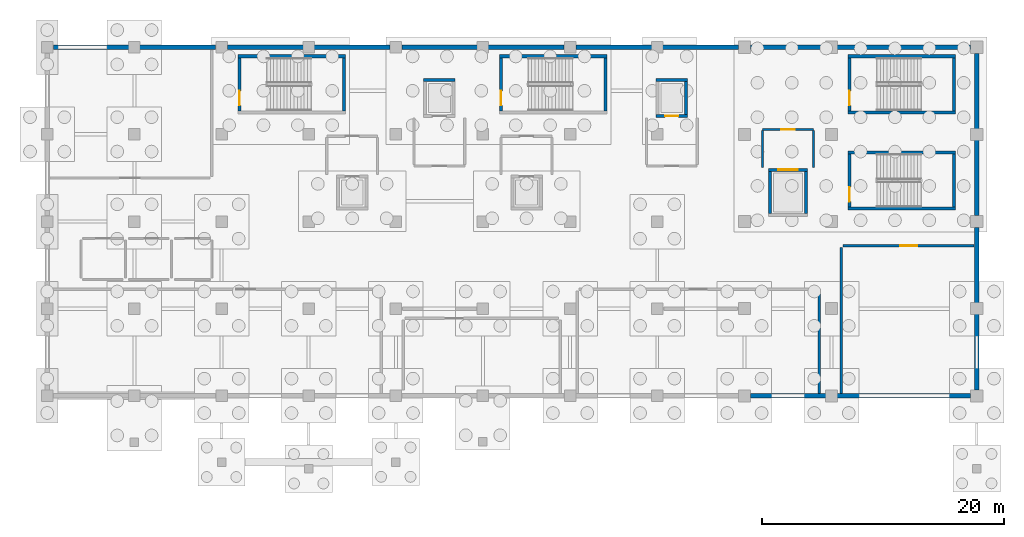
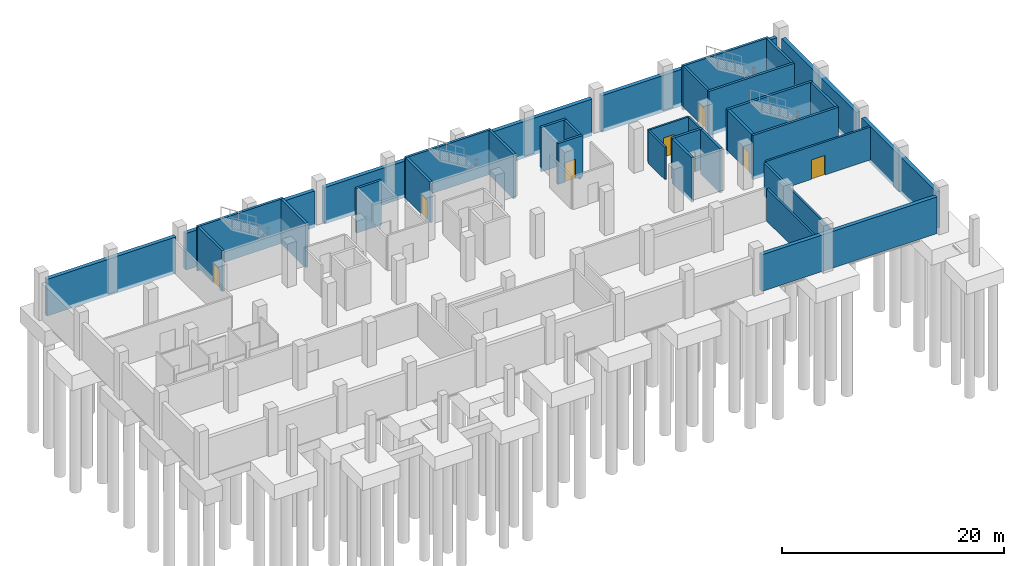
# One storey, part 5 of 10: 35 walls, 8 doors, 8 openings.
"""IFC4 building model written with IfcOpenShell, lengths in metres."""

from ifc_helpers import new_model, si_unit, direction, frame, frame_2d, origin, place, context, subcontext, project, spatial, rectangle, extrude, material, layer, layer_set, type_object, element, fill, save


model = new_model("IFC4")

# Units and contexts
model_context = context("Model", 3, precision=1e-05, world=origin(), true_north=direction((0.0, 1.0)))
body_context = subcontext(model_context, "Body", "Model", "MODEL_VIEW")
ifc_project = project(units=[si_unit("LENGTHUNIT", "METRE"), si_unit("AREAUNIT", "SQUARE_METRE"), si_unit("VOLUMEUNIT", "CUBIC_METRE"), si_unit("PLANEANGLEUNIT", "RADIAN"), si_unit("MASSUNIT", "GRAM", prefix="KILO")], contexts=[model_context])

# Site, building, storey
site_placement = place(None, origin())
site = spatial("IfcSite", under=ifc_project, at=site_placement, CompositionType="ELEMENT")
building_placement = place(site_placement, origin())
building = spatial("IfcBuilding", under=site, at=building_placement, Name="Cendralis Lancet Convention Centre", CompositionType="ELEMENT")
storey_placement = place(building_placement, frame((0.0, 0.0, -4.800048828125)))
storey = spatial("IfcBuildingStorey", under=building, at=storey_placement, Name="B1", CompositionType="ELEMENT", Elevation=-4.800048828125)

# Walls
ifc_material_1 = material(Name="Concrete G40 (C40/50)", Category="concrete")
ifc_layer_1 = layer(ifc_material_1, 0.39990234375, Name="Concrete G40 (C40/50)")
ifc_layer_set_1 = layer_set([ifc_layer_1], Name="Concrete G40 (C40/50)")
wall_type_1 = type_object("IfcWallType", Name="ARC-EW-W400", PredefinedType="STANDARD", material=ifc_layer_set_1)
wall_1_placement = place(storey_placement, frame((132.5, 36.0, -0.39990234375), z_axis=(0.0, 0.0, 1.0), x_axis=(1.0, 0.0, 0.0)))
element("IfcWall", 1, at=wall_1_placement, inside=storey, type_object=wall_type_1, Name="B1 North Retaining Wall 132", PredefinedType="STANDARD", context=body_context, shape_type="SweptSolid", body=[
    extrude(rectangle(XDim=13.39990234375, YDim=0.39990234375, at=frame_2d((6.699951171875, 0.0))), origin(), (0.0, 0.0, 1.0), 4.02001953125),
])
wall_2_placement = place(storey_placement, frame((146.89990234375, 36.0, -0.39990234375), z_axis=(0.0, 0.0, 1.0), x_axis=(1.0, 0.0, 0.0)))
element("IfcWall", 2, at=wall_2_placement, inside=storey, type_object=wall_type_1, Name="B1 North Retaining Wall 146", PredefinedType="STANDARD", context=body_context, shape_type="SweptSolid", body=[
    extrude(rectangle(XDim=13.400146484375, YDim=0.39990234375, at=frame_2d((6.7001953125, 0.0))), origin(), (0.0, 0.0, 1.0), 4.02001953125),
])
wall_3_placement = place(storey_placement, frame((161.300048828125, 36.0, -0.39990234375), z_axis=(0.0, 0.0, 1.0), x_axis=(1.0, 0.0, 0.0)))
element("IfcWall", 3, at=wall_3_placement, inside=storey, type_object=wall_type_1, Name="B1 North Retaining Wall 161", PredefinedType="STANDARD", context=body_context, shape_type="SweptSolid", body=[
    extrude(rectangle(XDim=13.39990234375, YDim=0.39990234375, at=frame_2d((6.699951171875, 0.0))), origin(), (0.0, 0.0, 1.0), 4.02001953125),
])
wall_4_placement = place(storey_placement, frame((175.699951171875, 36.0, -0.39990234375), z_axis=(0.0, 0.0, 1.0), x_axis=(1.0, 0.0, 0.0)))
element("IfcWall", 4, at=wall_4_placement, inside=storey, type_object=wall_type_1, Name="B1 North Retaining Wall 175", PredefinedType="STANDARD", context=body_context, shape_type="SweptSolid", body=[
    extrude(rectangle(XDim=13.400146484375, YDim=0.39990234375, at=frame_2d((6.7001953125, 0.0))), origin(), (0.0, 0.0, 1.0), 4.02001953125),
])
for number, where, z_axis, x_axis, name in (
    (5, (190.10009765625, 36.0, -0.39990234375), (0.0, 0.0, 1.0), (1.0, 0.0, 0.0), "B1 North Retaining Wall 190"),
    (6, (208.300048828125, 7.199951171875, -0.39990234375), (0.0, 0.0, 1.0), (-1.0, 0.0, 0.0), "B1 South Retaining Wall 190"),
):
    element("IfcWall", number, at=place(storey_placement, frame(where, z_axis=z_axis, x_axis=x_axis)), inside=storey, type_object=wall_type_1, Name=name, PredefinedType="STANDARD", context=body_context, shape_type="SweptSolid", body=[
        extrude(rectangle(XDim=18.199951171875, YDim=0.39990234375, at=frame_2d((9.10009765625, 0.0))), origin(), (0.0, 0.0, 1.0), 4.02001953125),
    ])
wall_5_placement = place(storey_placement, frame((208.800048828125, 21.10009765625, -0.39990234375), z_axis=(0.0, 0.0, 1.0), x_axis=(0.0, -1.0, 0.0)))
element("IfcWall", 7, at=wall_5_placement, inside=storey, type_object=wall_type_1, Name="B1 East Retaining Wall 7", PredefinedType="STANDARD", context=body_context, shape_type="SweptSolid", body=[
    extrude(rectangle(XDim=13.400146484375, YDim=0.39990234375, at=frame_2d((6.7001953125, 0.0))), origin(), (0.0, 0.0, 1.0), 4.02001953125),
])
wall_6_placement = place(storey_placement, frame((208.800048828125, 35.5, -0.39990234375), z_axis=(0.0, 0.0, 1.0), x_axis=(0.0, -1.0, 0.0)))
element("IfcWall", 8, at=wall_6_placement, inside=storey, type_object=wall_type_1, Name="B1 East Retaining Wall 22", PredefinedType="STANDARD", context=body_context, shape_type="SweptSolid", body=[
    extrude(rectangle(XDim=13.39990234375, YDim=0.39990234375, at=frame_2d((6.699951171875, 0.0))), origin(), (0.0, 0.0, 1.0), 4.02001953125),
])

# Wall, opening, door
ifc_material_2 = material(Name="Acoustic fire-rated gypsum board on steel studs", Category="steel")
ifc_layer_2 = layer(ifc_material_2, 0.179931640625, Name="Acoustic fire-rated gypsum board on steel studs")
ifc_layer_set_2 = layer_set([ifc_layer_2], Name="Acoustic fire-rated gypsum board on steel studs")
wall_type_2 = type_object("IfcWallType", Name="ARC-IW-P180", PredefinedType="PARTITIONING", material=ifc_layer_set_2)
wall_7_placement = place(storey_placement, frame((191.10009765625, 29.199951171875, 0.0), z_axis=(0.0, 0.0, 1.0), x_axis=(1.0, 0.0, 0.0)))
wall_7 = element("IfcWall", 9, at=wall_7_placement, inside=storey, type_object=wall_type_2, Name="B1 Lift Lobby LG-04 Front Wall", PredefinedType="PARTITIONING", context=body_context, shape_type="SweptSolid", body=[
    extrude(rectangle(XDim=4.199951171875, YDim=0.179931640625, at=frame_2d((2.10009765625, 0.0))), origin(), (0.0, 0.0, 1.0), 3.56494140625),
])
opening_1_placement = place(wall_7_placement, frame((1.550048828125, 0.0, 0.0)))
opening_1 = element("IfcOpeningElement", 10, at=opening_1_placement, cuts=wall_7, Name="Opening FD-11", PredefinedType="OPENING", context=body_context, shape_type="SweptSolid", body=[
    extrude(rectangle(XDim=1.10009765625, YDim=2.14990234375, at=frame_2d((0.550048828125, 1.074951171875))), frame((0.0, 0.099853515625, 0.0), z_axis=(0.0, -1.0, 0.0), x_axis=(1.0, 0.0, 0.0)), (0.0, 0.0, 1.0), 0.199951171875),
])
ifc_material_3 = material(Name="Steel S355", Category="steel")
door_type_1 = type_object("IfcDoorType", Name="ARC-DR-FF11", OperationType="NOTDEFINED", PredefinedType="DOOR", material=ifc_material_3)
door_1_placement = place(opening_1_placement, origin())
door_1 = element("IfcDoor", 11, at=door_1_placement, inside=storey, type_object=door_type_1, Name="B1-D016 B1 Lift Lobby LG-04 Fire Door", OperationType="SINGLE_SWING_LEFT", OverallHeight=2.14990234375, OverallWidth=1.10009765625, PredefinedType="DOOR", context=body_context, shape_type="SweptSolid", body=[
    extrude(rectangle(XDim=1.10009765625, YDim=2.14990234375, at=frame_2d((0.550048828125, 1.074951171875))), frame((0.0, 0.02490234375, 0.0), z_axis=(0.0, -1.0, 0.0), x_axis=(1.0, 0.0, 0.0)), (0.0, 0.0, 1.0), 0.050048828125),
])
fill(opening_1, door_1)

# Walls
for number, where, z_axis, x_axis, name in (
    (12, (191.10009765625, 26.050048828125, 0.0), (0.0, 0.0, 1.0), (0.0, 1.0, 0.0), "B1 Lift Lobby LG-04 West Wall"),
    (13, (195.300048828125, 26.050048828125, 0.0), (0.0, 0.0, 1.0), (0.0, 1.0, 0.0), "B1 Lift Lobby LG-04 East Wall"),
):
    element("IfcWall", number, at=place(storey_placement, frame(where, z_axis=z_axis, x_axis=x_axis)), inside=storey, type_object=wall_type_2, Name=name, PredefinedType="PARTITIONING", context=body_context, shape_type="SweptSolid", body=[
        extrude(rectangle(XDim=3.050048828125, YDim=0.179931640625, at=frame_2d((1.52490234375, 0.0))), origin(), (0.0, 0.0, 1.0), 3.56494140625),
    ])
ifc_layer_3 = layer(ifc_material_2, 0.2099609375, Name="Acoustic fire-rated gypsum board on steel studs")
ifc_layer_set_3 = layer_set([ifc_layer_3], Name="Acoustic fire-rated gypsum board on steel studs")
wall_type_3 = type_object("IfcWallType", Name="ARC-IW-P210", PredefinedType="PARTITIONING", material=ifc_layer_set_3)
wall_8_placement = place(storey_placement, frame((195.800048828125, 7.409912109375, 0.0), z_axis=(0.0, 0.0, 1.0), x_axis=(0.0, 1.0, 0.0)))
element("IfcWall", 14, at=wall_8_placement, inside=storey, type_object=wall_type_3, Name="B1 Interior Partition IW-01 #0331", PredefinedType="PARTITIONING", context=body_context, shape_type="SweptSolid", body=[
    extrude(rectangle(XDim=8.4501953125, YDim=0.2099609375, at=frame_2d((4.22509765625, 0.0))), origin(), (0.0, 0.0, 1.0), 3.56494140625),
])

# Wall, opening, door
wall_9_placement = place(storey_placement, frame((197.739990234375, 19.60009765625, 0.0), z_axis=(0.0, 0.0, 1.0), x_axis=(1.0, 0.0, 0.0)))
wall_9 = element("IfcWall", 15, at=wall_9_placement, inside=storey, type_object=wall_type_3, Name="B1 Interior Partition IW-01 #0334", PredefinedType="PARTITIONING", context=body_context, shape_type="SweptSolid", body=[
    extrude(rectangle(XDim=10.85009765625, YDim=0.2099609375, at=frame_2d((5.425048828125, 0.0))), origin(), (0.0, 0.0, 1.0), 3.614990234375),
])
opening_2_placement = place(wall_9_placement, frame((4.72509765625, 0.0, 0.0)))
opening_2 = element("IfcOpeningElement", 16, at=opening_2_placement, cuts=wall_9, Name="Opening ID-14", PredefinedType="OPENING", context=body_context, shape_type="SweptSolid", body=[
    extrude(rectangle(XDim=1.39990234375, YDim=2.14990234375, at=frame_2d((0.699951171875, 1.074951171875))), frame((0.0, 0.114990234375, 0.0), z_axis=(0.0, -1.0, 0.0), x_axis=(1.0, 0.0, 0.0)), (0.0, 0.0, 1.0), 0.22998046875),
])
ifc_material_4 = material(Name="Acoustic Chilean lenga timber and steel fire leaf", Category="steel")
door_type_2 = type_object("IfcDoorType", Name="ARC-DR-DB14", OperationType="NOTDEFINED", PredefinedType="DOOR", material=ifc_material_4)
door_2_placement = place(opening_2_placement, origin())
door_2 = element("IfcDoor", 17, at=door_2_placement, inside=storey, type_object=door_type_2, Name="B1-D005 B1 Interior Door ID-14 #0112", OperationType="DOUBLE_DOOR_SINGLE_SWING", OverallHeight=2.14990234375, OverallWidth=1.39990234375, PredefinedType="DOOR", context=body_context, shape_type="SweptSolid", body=[
    extrude(rectangle(XDim=1.39990234375, YDim=2.14990234375, at=frame_2d((0.699951171875, 1.074951171875))), frame((0.0, 0.02490234375, 0.0), z_axis=(0.0, -1.0, 0.0), x_axis=(1.0, 0.0, 0.0)), (0.0, 0.0, 1.0), 0.050048828125),
])
fill(opening_2, door_2)

# Wall
wall_10_placement = place(storey_placement, frame((197.60009765625, 7.409912109375, 0.0), z_axis=(0.0, 0.0, 1.0), x_axis=(0.0, 1.0, 0.0)))
element("IfcWall", 18, at=wall_10_placement, inside=storey, type_object=wall_type_3, Name="B1 Interior Partition IW-01 #0335", PredefinedType="PARTITIONING", context=body_context, shape_type="SweptSolid", body=[
    extrude(rectangle(XDim=12.050048828125, YDim=0.2099609375, at=frame_2d((6.02490234375, 0.0))), origin(), (0.0, 0.0, 1.0), 3.56494140625),
])

# Wall, opening, door
ifc_layer_4 = layer(ifc_material_1, 0.25, Name="Concrete G40 (C40/50)")
ifc_layer_set_4 = layer_set([ifc_layer_4], Name="Concrete G40 (C40/50)")
wall_type_4 = type_object("IfcWallType", Name="STR-SW-CW250", PredefinedType="SHEAR", material=ifc_layer_set_4)
wall_11_placement = place(storey_placement, frame((147.875, 30.75, 0.0), z_axis=(0.0, 0.0, 1.0), x_axis=(0.0, 1.0, 0.0)))
wall_11 = element("IfcWall", 19, at=wall_11_placement, inside=storey, type_object=wall_type_4, Name="B1 Stair Core ST-13 West Shear Wall", PredefinedType="SHEAR", context=body_context, shape_type="SweptSolid", body=[
    extrude(rectangle(XDim=4.3798828125, YDim=0.25, at=frame_2d((2.18994140625, 0.0))), origin(), (0.0, 0.0, 1.0), 4.47998046875),
])
opening_3_placement = place(wall_11_placement, frame((0.449951171875, 0.0, 0.0)))
opening_3 = element("IfcOpeningElement", 20, at=opening_3_placement, cuts=wall_11, Name="Opening SD-12", PredefinedType="OPENING", context=body_context, shape_type="SweptSolid", body=[
    extrude(rectangle(XDim=1.199951171875, YDim=2.14990234375, at=frame_2d((0.60009765625, 1.074951171875))), frame((0.0, 0.135009765625, 0.0), z_axis=(0.0, -1.0, 0.0), x_axis=(1.0, 0.0, 0.0)), (0.0, 0.0, 1.0), 0.27001953125),
])
door_type_3 = type_object("IfcDoorType", Name="ARC-DR-ST12", OperationType="NOTDEFINED", PredefinedType="DOOR", material=ifc_material_3)
door_3_placement = place(opening_3_placement, frame((1.199951171875, 0.0, 0.0), z_axis=(0.0, 0.0, 1.0), x_axis=(-1.0, 0.0, 0.0)))
door_3 = element("IfcDoor", 21, at=door_3_placement, inside=storey, type_object=door_type_3, Name="B1-D019 B1 Exit Stair ST-13 Fire Door", OperationType="SINGLE_SWING_RIGHT", OverallHeight=2.14990234375, OverallWidth=1.199951171875, PredefinedType="DOOR", context=body_context, shape_type="SweptSolid", body=[
    extrude(rectangle(XDim=1.199951171875, YDim=2.14990234375, at=frame_2d((0.60009765625, 1.074951171875))), frame((0.0, 0.02490234375, 0.0), z_axis=(0.0, -1.0, 0.0), x_axis=(1.0, 0.0, 0.0)), (0.0, 0.0, 1.0), 0.050048828125),
])
fill(opening_3, door_3)

# Walls
wall_12_placement = place(storey_placement, frame((156.52490234375, 30.75, -0.39990234375), z_axis=(0.0, 0.0, 1.0), x_axis=(0.0, 1.0, 0.0)))
element("IfcWall", 22, at=wall_12_placement, inside=storey, type_object=wall_type_4, Name="B1 Stair Core ST-13 East Shear Wall", PredefinedType="SHEAR", context=body_context, shape_type="SweptSolid", body=[
    extrude(rectangle(XDim=4.3798828125, YDim=0.25, at=frame_2d((2.18994140625, 0.0))), origin(), (0.0, 0.0, 1.0), 4.8798828125),
])
wall_13_placement = place(storey_placement, frame((147.75, 35.2548828125, -0.39990234375), z_axis=(0.0, 0.0, 1.0), x_axis=(1.0, 0.0, 0.0)))
element("IfcWall", 23, at=wall_13_placement, inside=storey, type_object=wall_type_4, Name="B1 Stair Core ST-13 North Shear Wall", PredefinedType="SHEAR", context=body_context, shape_type="SweptSolid", body=[
    extrude(rectangle(XDim=8.89990234375, YDim=0.25, at=frame_2d((4.449951171875, 0.0))), origin(), (0.0, 0.0, 1.0), 4.8798828125),
])

# Wall, opening, door
wall_14_placement = place(storey_placement, frame((169.47509765625, 30.75, 0.0), z_axis=(0.0, 0.0, 1.0), x_axis=(0.0, 1.0, 0.0)))
wall_14 = element("IfcWall", 24, at=wall_14_placement, inside=storey, type_object=wall_type_4, Name="B1 Stair Core ST-14 West Shear Wall", PredefinedType="SHEAR", context=body_context, shape_type="SweptSolid", body=[
    extrude(rectangle(XDim=4.3798828125, YDim=0.25, at=frame_2d((2.18994140625, 0.0))), origin(), (0.0, 0.0, 1.0), 4.47998046875),
])
opening_4_placement = place(wall_14_placement, frame((0.449951171875, 0.0, 0.0)))
opening_4 = element("IfcOpeningElement", 25, at=opening_4_placement, cuts=wall_14, Name="Opening SD-12", PredefinedType="OPENING", context=body_context, shape_type="SweptSolid", body=[
    extrude(rectangle(XDim=1.199951171875, YDim=2.14990234375, at=frame_2d((0.60009765625, 1.074951171875))), frame((0.0, 0.135009765625, 0.0), z_axis=(0.0, -1.0, 0.0), x_axis=(1.0, 0.0, 0.0)), (0.0, 0.0, 1.0), 0.27001953125),
])
door_4_placement = place(opening_4_placement, frame((1.199951171875, 0.0, 0.0), z_axis=(0.0, 0.0, 1.0), x_axis=(-1.0, 0.0, 0.0)))
door_4 = element("IfcDoor", 26, at=door_4_placement, inside=storey, type_object=door_type_3, Name="B1-D020 B1 Exit Stair ST-14 Fire Door", OperationType="SINGLE_SWING_LEFT", OverallHeight=2.14990234375, OverallWidth=1.199951171875, PredefinedType="DOOR", context=body_context, shape_type="SweptSolid", body=[
    extrude(rectangle(XDim=1.199951171875, YDim=2.14990234375, at=frame_2d((0.60009765625, 1.074951171875))), frame((0.0, 0.02490234375, 0.0), z_axis=(0.0, -1.0, 0.0), x_axis=(1.0, 0.0, 0.0)), (0.0, 0.0, 1.0), 0.050048828125),
])
fill(opening_4, door_4)

# Walls
wall_15_placement = place(storey_placement, frame((178.125, 30.75, -0.39990234375), z_axis=(0.0, 0.0, 1.0), x_axis=(0.0, 1.0, 0.0)))
element("IfcWall", 27, at=wall_15_placement, inside=storey, type_object=wall_type_4, Name="B1 Stair Core ST-14 East Shear Wall", PredefinedType="SHEAR", context=body_context, shape_type="SweptSolid", body=[
    extrude(rectangle(XDim=4.3798828125, YDim=0.25, at=frame_2d((2.18994140625, 0.0))), origin(), (0.0, 0.0, 1.0), 4.8798828125),
])
wall_16_placement = place(storey_placement, frame((169.35009765625, 35.2548828125, -0.39990234375), z_axis=(0.0, 0.0, 1.0), x_axis=(1.0, 0.0, 0.0)))
element("IfcWall", 28, at=wall_16_placement, inside=storey, type_object=wall_type_4, Name="B1 Stair Core ST-14 North Shear Wall", PredefinedType="SHEAR", context=body_context, shape_type="SweptSolid", body=[
    extrude(rectangle(XDim=8.89990234375, YDim=0.25, at=frame_2d((4.449951171875, 0.0))), origin(), (0.0, 0.0, 1.0), 4.8798828125),
])

# Wall, opening, door
wall_17_placement = place(storey_placement, frame((198.27490234375, 22.800048828125, 0.0), z_axis=(0.0, 0.0, 1.0), x_axis=(0.0, 1.0, 0.0)))
wall_17 = element("IfcWall", 29, at=wall_17_placement, inside=storey, type_object=wall_type_4, Name="B1 Stair Core ST-15 West Shear Wall", PredefinedType="SHEAR", context=body_context, shape_type="SweptSolid", body=[
    extrude(rectangle(XDim=4.3798828125, YDim=0.25, at=frame_2d((2.18994140625, 0.0))), origin(), (0.0, 0.0, 1.0), 4.47998046875),
])
opening_5_placement = place(wall_17_placement, frame((0.449951171875, 0.0, 0.0)))
opening_5 = element("IfcOpeningElement", 30, at=opening_5_placement, cuts=wall_17, Name="Opening SD-12", PredefinedType="OPENING", context=body_context, shape_type="SweptSolid", body=[
    extrude(rectangle(XDim=1.199951171875, YDim=2.14990234375, at=frame_2d((0.60009765625, 1.074951171875))), frame((0.0, 0.135009765625, 0.0), z_axis=(0.0, -1.0, 0.0), x_axis=(1.0, 0.0, 0.0)), (0.0, 0.0, 1.0), 0.27001953125),
])
door_5_placement = place(opening_5_placement, frame((1.199951171875, 0.0, 0.0), z_axis=(0.0, 0.0, 1.0), x_axis=(-1.0, 0.0, 0.0)))
door_5 = element("IfcDoor", 31, at=door_5_placement, inside=storey, type_object=door_type_3, Name="B1-D021 B1 Exit Stair ST-15 Fire Door", OperationType="SINGLE_SWING_RIGHT", OverallHeight=2.14990234375, OverallWidth=1.199951171875, PredefinedType="DOOR", context=body_context, shape_type="SweptSolid", body=[
    extrude(rectangle(XDim=1.199951171875, YDim=2.14990234375, at=frame_2d((0.60009765625, 1.074951171875))), frame((0.0, 0.02490234375, 0.0), z_axis=(0.0, -1.0, 0.0), x_axis=(1.0, 0.0, 0.0)), (0.0, 0.0, 1.0), 0.050048828125),
])
fill(opening_5, door_5)

# Walls
wall_18_placement = place(storey_placement, frame((206.925048828125, 22.800048828125, -0.39990234375), z_axis=(0.0, 0.0, 1.0), x_axis=(0.0, 1.0, 0.0)))
element("IfcWall", 32, at=wall_18_placement, inside=storey, type_object=wall_type_4, Name="B1 Stair Core ST-15 East Shear Wall", PredefinedType="SHEAR", context=body_context, shape_type="SweptSolid", body=[
    extrude(rectangle(XDim=4.3798828125, YDim=0.25, at=frame_2d((2.18994140625, 0.0))), origin(), (0.0, 0.0, 1.0), 4.8798828125),
])
for number, where, z_axis, x_axis, name in (
    (33, (198.14990234375, 22.675048828125, -0.39990234375), (0.0, 0.0, 1.0), (1.0, 0.0, 0.0), "B1 Stair Core ST-15 South Shear Wall"),
    (34, (198.14990234375, 27.304931640625, -0.39990234375), (0.0, 0.0, 1.0), (1.0, 0.0, 0.0), "B1 Stair Core ST-15 North Shear Wall"),
):
    element("IfcWall", number, at=place(storey_placement, frame(where, z_axis=z_axis, x_axis=x_axis)), inside=storey, type_object=wall_type_4, Name=name, PredefinedType="SHEAR", context=body_context, shape_type="SweptSolid", body=[
        extrude(rectangle(XDim=8.900146484375, YDim=0.25, at=frame_2d((4.4501953125, 0.0))), origin(), (0.0, 0.0, 1.0), 4.8798828125),
    ])

# Wall, opening, door
wall_19_placement = place(storey_placement, frame((198.27490234375, 30.75, 0.0), z_axis=(0.0, 0.0, 1.0), x_axis=(0.0, 1.0, 0.0)))
wall_19 = element("IfcWall", 35, at=wall_19_placement, inside=storey, type_object=wall_type_4, Name="B1 Stair Core ST-16 West Shear Wall", PredefinedType="SHEAR", context=body_context, shape_type="SweptSolid", body=[
    extrude(rectangle(XDim=4.3798828125, YDim=0.25, at=frame_2d((2.18994140625, 0.0))), origin(), (0.0, 0.0, 1.0), 4.47998046875),
])
opening_6_placement = place(wall_19_placement, frame((0.449951171875, 0.0, 0.0)))
opening_6 = element("IfcOpeningElement", 36, at=opening_6_placement, cuts=wall_19, Name="Opening SD-12", PredefinedType="OPENING", context=body_context, shape_type="SweptSolid", body=[
    extrude(rectangle(XDim=1.199951171875, YDim=2.14990234375, at=frame_2d((0.60009765625, 1.074951171875))), frame((0.0, 0.135009765625, 0.0), z_axis=(0.0, -1.0, 0.0), x_axis=(1.0, 0.0, 0.0)), (0.0, 0.0, 1.0), 0.27001953125),
])
door_6_placement = place(opening_6_placement, frame((1.199951171875, 0.0, 0.0), z_axis=(0.0, 0.0, 1.0), x_axis=(-1.0, 0.0, 0.0)))
door_6 = element("IfcDoor", 37, at=door_6_placement, inside=storey, type_object=door_type_3, Name="B1-D022 B1 Exit Stair ST-16 Fire Door", OperationType="SINGLE_SWING_LEFT", OverallHeight=2.14990234375, OverallWidth=1.199951171875, PredefinedType="DOOR", context=body_context, shape_type="SweptSolid", body=[
    extrude(rectangle(XDim=1.199951171875, YDim=2.14990234375, at=frame_2d((0.60009765625, 1.074951171875))), frame((0.0, 0.02490234375, 0.0), z_axis=(0.0, -1.0, 0.0), x_axis=(1.0, 0.0, 0.0)), (0.0, 0.0, 1.0), 0.050048828125),
])
fill(opening_6, door_6)

# Walls
wall_20_placement = place(storey_placement, frame((206.925048828125, 30.75, -0.39990234375), z_axis=(0.0, 0.0, 1.0), x_axis=(0.0, 1.0, 0.0)))
element("IfcWall", 38, at=wall_20_placement, inside=storey, type_object=wall_type_4, Name="B1 Stair Core ST-16 East Shear Wall", PredefinedType="SHEAR", context=body_context, shape_type="SweptSolid", body=[
    extrude(rectangle(XDim=4.3798828125, YDim=0.25, at=frame_2d((2.18994140625, 0.0))), origin(), (0.0, 0.0, 1.0), 4.8798828125),
])
for number, where, z_axis, x_axis, name in (
    (39, (198.14990234375, 30.625, -0.39990234375), (0.0, 0.0, 1.0), (1.0, 0.0, 0.0), "B1 Stair Core ST-16 South Shear Wall"),
    (40, (198.14990234375, 35.2548828125, -0.39990234375), (0.0, 0.0, 1.0), (1.0, 0.0, 0.0), "B1 Stair Core ST-16 North Shear Wall"),
):
    element("IfcWall", number, at=place(storey_placement, frame(where, z_axis=z_axis, x_axis=x_axis)), inside=storey, type_object=wall_type_4, Name=name, PredefinedType="SHEAR", context=body_context, shape_type="SweptSolid", body=[
        extrude(rectangle(XDim=8.900146484375, YDim=0.25, at=frame_2d((4.4501953125, 0.0))), origin(), (0.0, 0.0, 1.0), 4.8798828125),
    ])
wall_21_placement = place(storey_placement, frame((163.10009765625, 33.27490234375, -0.39990234375), z_axis=(0.0, 0.0, 1.0), x_axis=(1.0, 0.0, 0.0)))
element("IfcWall", 41, at=wall_21_placement, inside=storey, type_object=wall_type_4, Name="B1 Lift LF-01 North Shaft Wall", PredefinedType="SHEAR", context=body_context, shape_type="SweptSolid", body=[
    extrude(rectangle(XDim=2.599853515625, YDim=0.25, at=frame_2d((1.2998046875, 0.0))), origin(), (0.0, 0.0, 1.0), 4.8798828125),
])

# Wall, opening, door
wall_22_placement = place(storey_placement, frame((182.300048828125, 30.324951171875, 0.0), z_axis=(0.0, 0.0, 1.0), x_axis=(1.0, 0.0, 0.0)))
wall_22 = element("IfcWall", 42, at=wall_22_placement, inside=storey, type_object=wall_type_4, Name="B1 Lift LF-02 South Shaft Wall", PredefinedType="SHEAR", context=body_context, shape_type="SweptSolid", body=[
    extrude(rectangle(XDim=2.599853515625, YDim=0.25, at=frame_2d((1.2998046875, 0.0))), origin(), (0.0, 0.0, 1.0), 4.47998046875),
])
opening_7_placement = place(wall_22_placement, frame((0.75, 0.0, 0.0)))
opening_7 = element("IfcOpeningElement", 43, at=opening_7_placement, cuts=wall_22, Name="Opening LD-11", PredefinedType="OPENING", context=body_context, shape_type="SweptSolid", body=[
    extrude(rectangle(XDim=1.10009765625, YDim=2.14990234375, at=frame_2d((0.550048828125, 1.074951171875))), frame((0.0, 0.135009765625, 0.0), z_axis=(0.0, -1.0, 0.0), x_axis=(1.0, 0.0, 0.0)), (0.0, 0.0, 1.0), 0.27001953125),
])
ifc_material_5 = material(Name="Anodised bronze architectural aluminium", Category="aluminium")
door_type_4 = type_object("IfcDoorType", Name="ARC-DR-LD11", OperationType="NOTDEFINED", PredefinedType="DOOR", material=ifc_material_5)
door_7_placement = place(opening_7_placement, origin())
door_7 = element("IfcDoor", 44, at=door_7_placement, inside=storey, type_object=door_type_4, Name="B1-D010 B1 Lift LF-02 Sliding Landing Door", OperationType="SLIDING_TO_LEFT", OverallHeight=2.14990234375, OverallWidth=1.10009765625, PredefinedType="DOOR", context=body_context, shape_type="SweptSolid", body=[
    extrude(rectangle(XDim=1.10009765625, YDim=2.14990234375, at=frame_2d((0.550048828125, 1.074951171875))), frame((0.0, 0.02490234375, 0.0), z_axis=(0.0, -1.0, 0.0), x_axis=(1.0, 0.0, 0.0)), (0.0, 0.0, 1.0), 0.050048828125),
])
fill(opening_7, door_7)

# Walls
wall_23_placement = place(storey_placement, frame((182.300048828125, 33.27490234375, -0.39990234375), z_axis=(0.0, 0.0, 1.0), x_axis=(1.0, 0.0, 0.0)))
element("IfcWall", 45, at=wall_23_placement, inside=storey, type_object=wall_type_4, Name="B1 Lift LF-02 North Shaft Wall", PredefinedType="SHEAR", context=body_context, shape_type="SweptSolid", body=[
    extrude(rectangle(XDim=2.599853515625, YDim=0.25, at=frame_2d((1.2998046875, 0.0))), origin(), (0.0, 0.0, 1.0), 4.8798828125),
])
wall_24_placement = place(storey_placement, frame((184.77490234375, 30.449951171875, -0.39990234375), z_axis=(0.0, 0.0, 1.0), x_axis=(0.0, 1.0, 0.0)))
element("IfcWall", 46, at=wall_24_placement, inside=storey, type_object=wall_type_4, Name="B1 Lift LF-02 East Shaft Wall", PredefinedType="SHEAR", context=body_context, shape_type="SweptSolid", body=[
    extrude(rectangle(XDim=2.699951171875, YDim=0.25, at=frame_2d((1.35009765625, 0.0))), origin(), (0.0, 0.0, 1.0), 4.8798828125),
])

# Wall, opening, door
wall_25_placement = place(storey_placement, frame((191.60009765625, 25.875, 0.0), z_axis=(0.0, 0.0, 1.0), x_axis=(1.0, 0.0, 0.0)))
wall_25 = element("IfcWall", 47, at=wall_25_placement, inside=storey, type_object=wall_type_4, Name="B1 Lift LG-04 North Shaft Wall", PredefinedType="SHEAR", context=body_context, shape_type="SweptSolid", body=[
    extrude(rectangle(XDim=3.199951171875, YDim=0.25, at=frame_2d((1.60009765625, 0.0))), origin(), (0.0, 0.0, 1.0), 4.47998046875),
])
opening_8_placement = place(wall_25_placement, frame((0.800048828125, 0.0, 0.0)))
opening_8 = element("IfcOpeningElement", 48, at=opening_8_placement, cuts=wall_25, Name="Opening LD-16", PredefinedType="OPENING", context=body_context, shape_type="SweptSolid", body=[
    extrude(rectangle(XDim=1.60009765625, YDim=2.199951171875, at=frame_2d((0.800048828125, 1.10009765625))), frame((0.0, 0.135009765625, 0.0), z_axis=(0.0, -1.0, 0.0), x_axis=(1.0, 0.0, 0.0)), (0.0, 0.0, 1.0), 0.27001953125),
])
door_type_5 = type_object("IfcDoorType", Name="ARC-DR-LD16", OperationType="NOTDEFINED", PredefinedType="DOOR", material=ifc_material_3)
door_8_placement = place(opening_8_placement, origin())
door_8 = element("IfcDoor", 49, at=door_8_placement, inside=storey, type_object=door_type_5, Name="B1-D011 B1 Lift LG-04 Sliding Landing Door", OperationType="SLIDING_TO_LEFT", OverallHeight=2.199951171875, OverallWidth=1.60009765625, PredefinedType="DOOR", context=body_context, shape_type="SweptSolid", body=[
    extrude(rectangle(XDim=1.60009765625, YDim=2.199951171875, at=frame_2d((0.800048828125, 1.10009765625))), frame((0.0, 0.02490234375, 0.0), z_axis=(0.0, -1.0, 0.0), x_axis=(1.0, 0.0, 0.0)), (0.0, 0.0, 1.0), 0.050048828125),
])
fill(opening_8, door_8)

# Walls
for number, where, z_axis, x_axis, name in (
    (50, (191.72509765625, 22.25, -0.39990234375), (0.0, 0.0, 1.0), (0.0, 1.0, 0.0), "B1 Lift LG-04 West Shaft Wall"),
    (51, (194.675048828125, 22.25, -0.39990234375), (0.0, 0.0, 1.0), (0.0, 1.0, 0.0), "B1 Lift LG-04 East Shaft Wall"),
):
    element("IfcWall", number, at=place(storey_placement, frame(where, z_axis=z_axis, x_axis=x_axis)), inside=storey, type_object=wall_type_4, Name=name, PredefinedType="SHEAR", context=body_context, shape_type="SweptSolid", body=[
        extrude(rectangle(XDim=3.5, YDim=0.25, at=frame_2d((1.75, 0.0))), origin(), (0.0, 0.0, 1.0), 4.8798828125),
    ])

save(model, "model.ifc")
